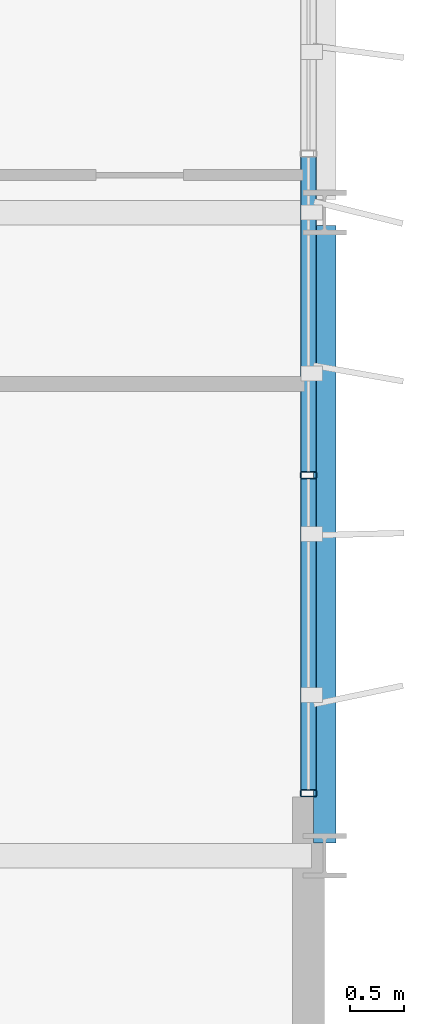
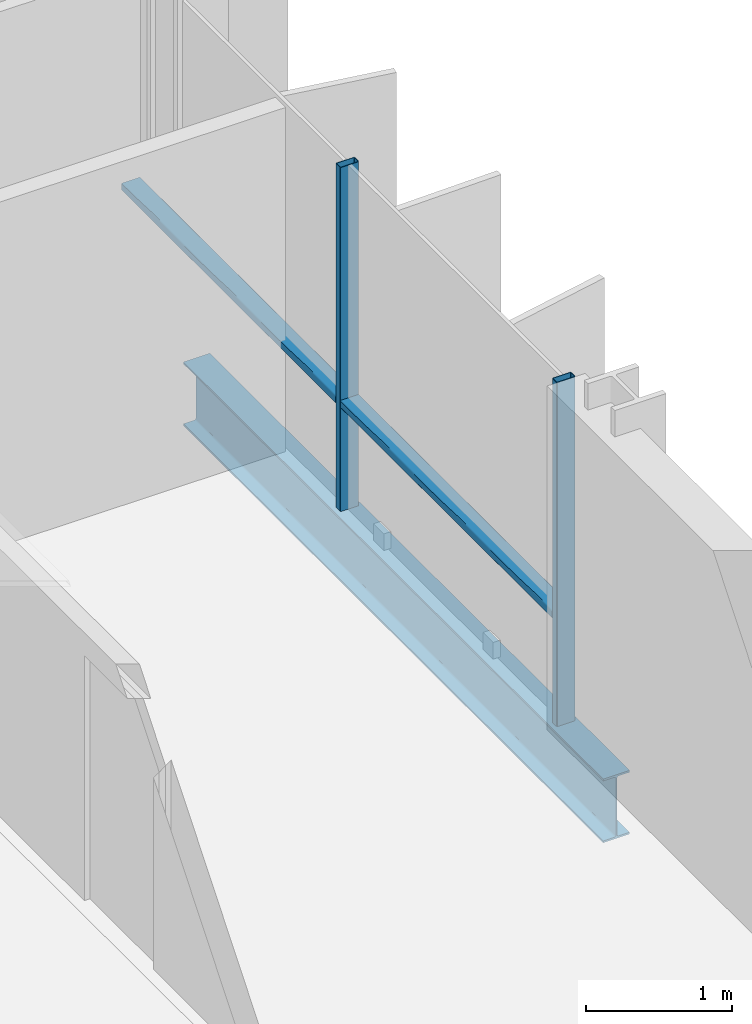
# One storey, part 17 of 38: 4 members, 1 beam, 1 element without a shape of its own.
"""IFC4 building model written with IfcOpenShell, lengths in metres."""

from ifc_helpers import new_model, si_unit, direction, frame, origin, origin_2d, place, context, subcontext, project, spatial, hollow_rectangle, i_section, extrude, material, layer, layer_set, material_profile, profile_set, type_object, element, aggregate, save


model = new_model("IFC4")

# Units and contexts
model_context = context("Model", 3, precision=1e-05, world=origin(), true_north=direction((0.0, 1.0)))
body_context = subcontext(model_context, "Body", "Model", "MODEL_VIEW")
ifc_project = project(units=[si_unit("LENGTHUNIT", "METRE"), si_unit("AREAUNIT", "SQUARE_METRE"), si_unit("VOLUMEUNIT", "CUBIC_METRE"), si_unit("PLANEANGLEUNIT", "RADIAN"), si_unit("MASSUNIT", "GRAM", prefix="KILO")], contexts=[model_context])

# Site, building, storey
site_placement = place(None, origin())
site = spatial("IfcSite", under=ifc_project, at=site_placement, CompositionType="ELEMENT")
building_placement = place(site_placement, origin())
building = spatial("IfcBuilding", under=site, at=building_placement, Name="Brevholm Reach", CompositionType="ELEMENT")
storey_placement = place(building_placement, frame((0.0, 0.0, 166.60009765625)))
storey = spatial("IfcBuildingStorey", under=building, at=storey_placement, Name="L50", CompositionType="ELEMENT", Elevation=166.60009765625)

# Beam
ifc_material_1 = material(Name="Structural Steel S355J2", Category="steel")
ifc_material_profile_1 = material_profile(ifc_material_1, i_section(OverallWidth=0.209228515625, OverallDepth=0.533203125, WebThickness=0.010009765625, FlangeThickness=0.015625, FilletRadius=0.0126953125, at=origin_2d()), Name="UKB 533x210x92")
ifc_profile_set_1 = profile_set([ifc_material_profile_1], Name="Structural Steel S355J2")
beam_type = type_object("IfcBeamType", Name="BM-SP533", PredefinedType="SPANDREL", material=ifc_profile_set_1)
beam_placement = place(storey_placement, frame((60.0, 10.1201171875, -0.486572265625), z_axis=(0.0, 1.0, 0.0), x_axis=(-1.0, 0.0, 0.0)))
element("IfcBeam", 1, at=beam_placement, inside=storey, type_object=beam_type, Name="L50 SP-02 Framing Beam", PredefinedType="SPANDREL", context=body_context, shape_type="SweptSolid", body=[
    extrude(i_section(OverallWidth=0.209228515625, OverallDepth=0.533203125, WebThickness=0.010009765625, FlangeThickness=0.015625, FilletRadius=0.0126953125, at=origin_2d()), origin(), (0.0, 0.0, 1.0), 5.759765625),
])

# Curtain wall, members
ifc_material_2 = material(Name="Dark Anodised Aluminium 6063-T6 and Solar-Control Glass", Category="aluminium")
ifc_layer = layer(ifc_material_2, 0.14990234375)
ifc_layer_set = layer_set([ifc_layer], Name="Dark Anodised Aluminium 6063-T6 and Solar-Control Glass")
curtain_wall_type = type_object("IfcCurtainWallType", Name="CW-01", PredefinedType="NOTDEFINED", material=ifc_layer_set)
curtain_wall_placement = place(storey_placement, origin())
curtain_wall = element("IfcCurtainWall", 2, at=curtain_wall_placement, inside=storey, type_object=curtain_wall_type, Name="L50 Curtain Wall CW-01", PredefinedType="NOTDEFINED")
ifc_material_3 = material(Name="Dark Anodised Aluminium 6063-T6", Category="aluminium")
ifc_material_profile_2 = material_profile(ifc_material_3, hollow_rectangle(XDim=0.06494140625, YDim=0.14990234375, WallThickness=0.0048828125, InnerFilletRadius=0.0048828125, OuterFilletRadius=0.010009765625, at=origin_2d()), Name="RHS 150x65x5")
ifc_profile_set_2 = profile_set([ifc_material_profile_2], Name="Dark Anodised Aluminium 6063-T6")
member_type_1 = type_object("IfcMemberType", Name="CWM-150", PredefinedType="MULLION", material=ifc_profile_set_2)
member_1_placement = place(storey_placement, frame((59.85009765625, 10.58251953125, 0.0), z_axis=(0.0, 0.0, 1.0), x_axis=(0.0, 1.0, 0.0)))
member_1 = element("IfcMember", 3, at=member_1_placement, type_object=member_type_1, Name="CM-150 Mullion 1", PredefinedType="MULLION", context=body_context, shape_type="SweptSolid", body=[
    extrude(hollow_rectangle(XDim=0.06494140625, YDim=0.14990234375, WallThickness=0.0048828125, InnerFilletRadius=0.0048828125, OuterFilletRadius=0.010009765625, at=origin_2d()), origin(), (0.0, 0.0, 1.0), 2.8798828125),
])
member_2_placement = place(storey_placement, frame((59.85009765625, 13.550048828125, 0.0), z_axis=(0.0, 0.0, 1.0), x_axis=(0.0, 1.0, 0.0)))
member_2 = element("IfcMember", 4, at=member_2_placement, type_object=member_type_1, Name="CM-150 Mullion 2", PredefinedType="MULLION", context=body_context, shape_type="SweptSolid", body=[
    extrude(hollow_rectangle(XDim=0.06494140625, YDim=0.14990234375, WallThickness=0.0048828125, InnerFilletRadius=0.0048828125, OuterFilletRadius=0.010009765625, at=origin_2d()), origin(), (0.0, 0.0, 1.0), 2.8798828125),
])
ifc_material_4 = material(Name="Dark Anodised Aluminium 6063-T6", Category="aluminium")
ifc_material_profile_3 = material_profile(ifc_material_4, hollow_rectangle(XDim=0.06494140625, YDim=0.14990234375, WallThickness=0.0048828125, InnerFilletRadius=0.0048828125, OuterFilletRadius=0.010009765625, at=origin_2d()), Name="RHS 150x65x5")
ifc_profile_set_3 = profile_set([ifc_material_profile_3], Name="Dark Anodised Aluminium 6063-T6")
member_type_2 = type_object("IfcMemberType", Name="CWT-150", PredefinedType="NOTDEFINED", material=ifc_profile_set_3)
member_3_placement = place(storey_placement, frame((59.85009765625, 10.614990234375, 0.89990234375), z_axis=(0.0, 1.0, 0.0), x_axis=(0.0, 0.0, 1.0)))
member_3 = element("IfcMember", 5, at=member_3_placement, type_object=member_type_2, Name="CT-150 Transom 1.1", ObjectType="TRANSOM", PredefinedType="USERDEFINED", context=body_context, shape_type="SweptSolid", body=[
    extrude(hollow_rectangle(XDim=0.06494140625, YDim=0.14990234375, WallThickness=0.0048828125, InnerFilletRadius=0.0048828125, OuterFilletRadius=0.010009765625, at=origin_2d()), origin(), (0.0, 0.0, 1.0), 2.902587890625),
])
member_4_placement = place(storey_placement, frame((59.85009765625, 13.58251953125, 0.89990234375), z_axis=(0.0, 1.0, 0.0), x_axis=(0.0, 0.0, 1.0)))
member_4 = element("IfcMember", 6, at=member_4_placement, type_object=member_type_2, Name="CT-150 Transom 2.1", ObjectType="TRANSOM", PredefinedType="USERDEFINED", context=body_context, shape_type="SweptSolid", body=[
    extrude(hollow_rectangle(XDim=0.06494140625, YDim=0.14990234375, WallThickness=0.0048828125, InnerFilletRadius=0.0048828125, OuterFilletRadius=0.010009765625, at=origin_2d()), origin(), (0.0, 0.0, 1.0), 2.93505859375),
])
aggregate(curtain_wall, [member_1, member_2, member_3, member_4])

save(model, "model.ifc")
